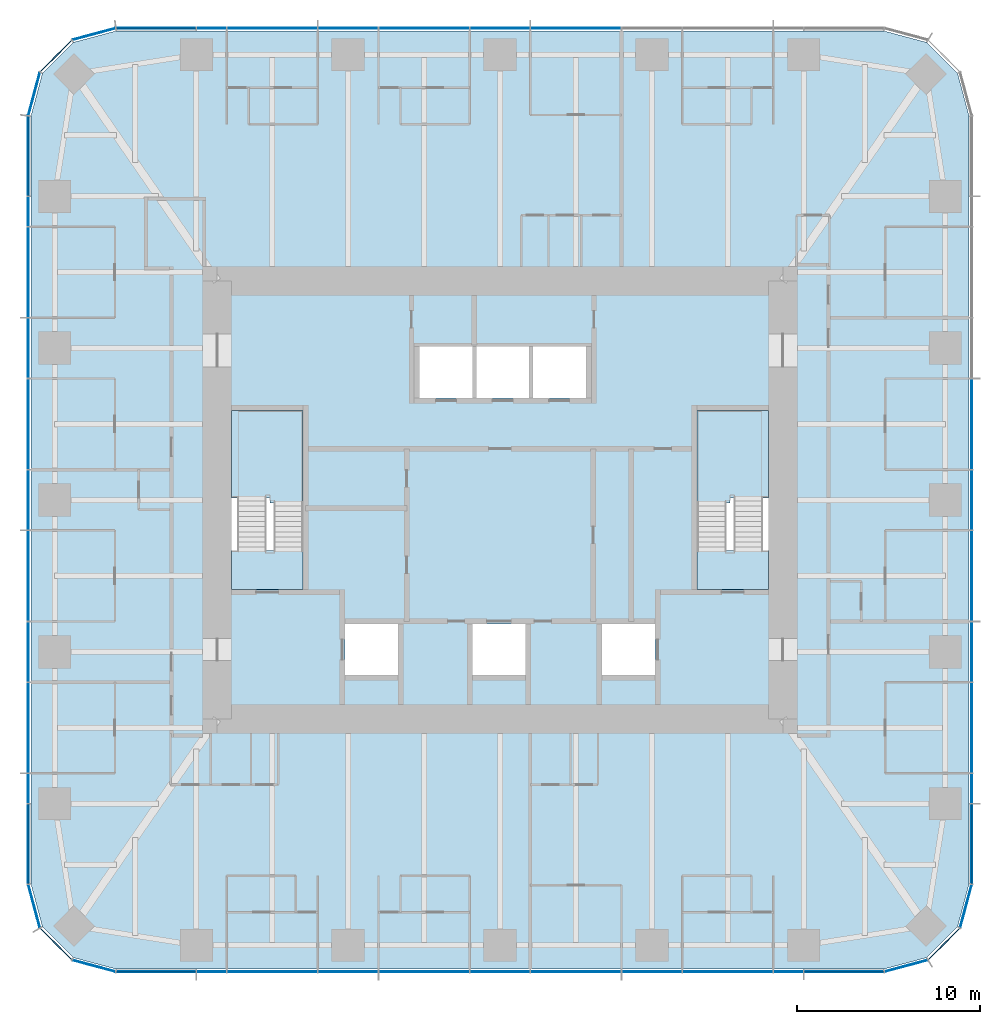
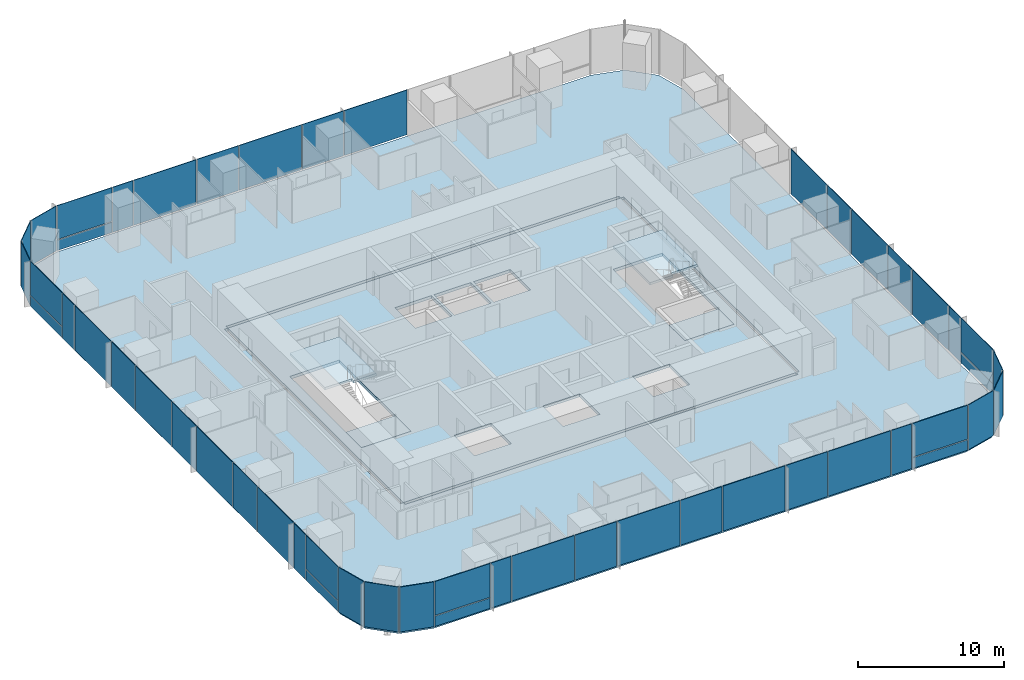
# One storey, part 7 of 13: 51 plates, 6 slabs, 9 elements without a shape of their own.
"""IFC4 building model written with IfcOpenShell, lengths in metres."""

from ifc_helpers import new_model, si_unit, direction, frame, origin, origin_2d, place, context, subcontext, project, spatial, polyline, rectangle, outline, extrude, material, layer, layer_set, type_object, element, aggregate, save


model = new_model("IFC4")

# Units and contexts
model_context = context("Model", 3, precision=1e-05, world=origin(), true_north=direction((0.0, 1.0)))
body_context = subcontext(model_context, "Body", "Model", "MODEL_VIEW")
ifc_project = project(units=[si_unit("LENGTHUNIT", "METRE"), si_unit("AREAUNIT", "SQUARE_METRE"), si_unit("VOLUMEUNIT", "CUBIC_METRE"), si_unit("PLANEANGLEUNIT", "RADIAN"), si_unit("MASSUNIT", "GRAM", prefix="KILO")], contexts=[model_context])

# Site, building, storey
site_placement = place(None, origin())
site = spatial("IfcSite", under=ifc_project, at=site_placement, CompositionType="ELEMENT")
building_placement = place(site_placement, origin())
building = spatial("IfcBuilding", under=site, at=building_placement, Name="Khuree Lantern Residences", CompositionType="ELEMENT")
storey_placement = place(building_placement, frame((0.0, 0.0, 248.25)))
storey = spatial("IfcBuildingStorey", under=building, at=storey_placement, Name="L62", CompositionType="ELEMENT", Elevation=248.25)

# Slab
ifc_material_1 = material(Name="Concrete C35/45", Category="concrete")
ifc_layer_1 = layer(ifc_material_1, 0.25)
ifc_layer_set_1 = layer_set([ifc_layer_1], Name="CFL250 CORE FLOOR SLAB 250")
slab_type_1 = type_object("IfcSlabType", Name="CFL250 CORE FLOOR SLAB 250", PredefinedType="FLOOR", material=ifc_layer_set_1)
slab_1_placement = place(storey_placement, frame((0.0, 0.0, -0.25)))
element("IfcSlab", 1, at=slab_1_placement, inside=storey, type_object=slab_type_1, Name="Core floor L62", PredefinedType="FLOOR", context=body_context, shape_type="SweptSolid", body=[
    extrude(outline(polyline([(-15.5, -12.0), (-15.5, 12.0), (15.5, 12.0), (15.5, -12.0), (-15.5, -12.0)]), holes=[polyline([(10.800048828125, 4.89990234375), (10.800048828125, -4.89990234375), (14.699951171875, -4.89990234375), (14.699951171875, 4.89990234375), (10.800048828125, 4.89990234375)]), polyline([(5.60009765625, -6.800048828125), (5.60009765625, -9.60009765625), (8.5, -9.60009765625), (8.5, -6.800048828125), (5.60009765625, -6.800048828125)]), polyline([(1.800048828125, 8.39990234375), (1.800048828125, 5.60009765625), (4.699951171875, 5.60009765625), (4.699951171875, 8.39990234375), (1.800048828125, 8.39990234375)]), polyline([(-1.300048828125, 8.39990234375), (-1.300048828125, 5.60009765625), (1.60009765625, 5.60009765625), (1.60009765625, 8.39990234375), (-1.300048828125, 8.39990234375)]), polyline([(-1.5, -6.800048828125), (-1.5, -9.60009765625), (1.39990234375, -9.60009765625), (1.39990234375, -6.800048828125), (-1.5, -6.800048828125)]), polyline([(-4.39990234375, 8.39990234375), (-4.39990234375, 5.60009765625), (-1.5, 5.60009765625), (-1.5, 8.39990234375), (-4.39990234375, 8.39990234375)]), polyline([(-8.5, -6.800048828125), (-8.5, -9.60009765625), (-5.60009765625, -9.60009765625), (-5.60009765625, -6.800048828125), (-8.5, -6.800048828125)]), polyline([(-14.699951171875, 4.89990234375), (-14.699951171875, -4.89990234375), (-10.800048828125, -4.89990234375), (-10.800048828125, 4.89990234375), (-14.699951171875, 4.89990234375)])]), origin(), (0.0, 0.0, 1.0), 0.25),
])

# Curtain wall, plates
ifc_material_2 = material(Name="Bronze anodised aluminium", Category="aluminium")
curtain_wall_type_1 = type_object("IfcCurtainWallType", Name="CW-T2 TOWER CORNER CURTAIN WALL", PredefinedType="USERDEFINED", material=ifc_material_2)
curtain_wall_1_placement = place(storey_placement, origin())
curtain_wall_1 = element("IfcCurtainWall", 2, at=curtain_wall_1_placement, inside=storey, type_object=curtain_wall_type_1, Name="L62 SOUTH-EAST CORNER CURTAIN WALL", ObjectType="Faceted corner curtain wall", PredefinedType="USERDEFINED")
ifc_material_3 = material(Name="Bronze tinted triple glazing", Category="glass")
ifc_layer_2 = layer(ifc_material_3, 0.048095703125)
ifc_layer_set_2 = layer_set([ifc_layer_2], Name="FACET PANEL P4")
plate_type_1 = type_object("IfcPlateType", Name="FACET PANEL P4", PredefinedType="CURTAIN_PANEL", material=ifc_layer_set_2)
plate_1_placement = place(storey_placement, frame((22.248046875, -25.529052734375, 0.0), z_axis=(0.0, 0.0, 1.0), x_axis=(0.965925832509, 0.258819021888, 0.0)))
plate_1 = element("IfcPlate", 3, at=plate_1_placement, type_object=plate_type_1, Name="L62 SOUTH-EAST CORNER PANEL 1.1", PredefinedType="CURTAIN_PANEL", context=body_context, shape_type="SweptSolid", body=[
    extrude(rectangle(XDim=2.40869140625, YDim=0.048095703125, at=origin_2d()), origin(), (0.0, 0.0, 1.0), 3.75),
])
plate_2_placement = place(storey_placement, frame((24.328369140625, -24.328369140625, 0.0), z_axis=(0.0, 0.0, 1.0), x_axis=(0.707106781187, 0.707106781187, 0.0)))
plate_2 = element("IfcPlate", 4, at=plate_2_placement, type_object=plate_type_1, Name="L62 SOUTH-EAST CORNER PANEL 2.1", PredefinedType="CURTAIN_PANEL", context=body_context, shape_type="SweptSolid", body=[
    extrude(rectangle(XDim=2.404541015625, YDim=0.048095703125, at=origin_2d()), origin(), (0.0, 0.0, 1.0), 3.75),
])
plate_3_placement = place(storey_placement, frame((25.529052734375, -22.248046875, 0.0), z_axis=(0.0, 0.0, 1.0), x_axis=(0.258819021888, 0.965925832509, 0.0)))
plate_3 = element("IfcPlate", 5, at=plate_3_placement, type_object=plate_type_1, Name="L62 SOUTH-EAST CORNER PANEL 3.1", PredefinedType="CURTAIN_PANEL", context=body_context, shape_type="SweptSolid", body=[
    extrude(rectangle(XDim=2.40869140625, YDim=0.048095703125, at=origin_2d()), origin(), (0.0, 0.0, 1.0), 3.75),
])
aggregate(curtain_wall_1, [plate_1, plate_2, plate_3])

curtain_wall_2_placement = place(storey_placement, origin())
curtain_wall_2 = element("IfcCurtainWall", 6, at=curtain_wall_2_placement, inside=storey, type_object=curtain_wall_type_1, Name="L62 NORTH-WEST CORNER CURTAIN WALL", ObjectType="Faceted corner curtain wall", PredefinedType="USERDEFINED")
plate_4_placement = place(storey_placement, frame((-22.248046875, 25.529052734375, 0.0), z_axis=(0.0, 0.0, 1.0), x_axis=(-0.965925832509, -0.258819021888, 0.0)))
plate_4 = element("IfcPlate", 7, at=plate_4_placement, type_object=plate_type_1, Name="L62 NORTH-WEST CORNER PANEL 29.1", PredefinedType="CURTAIN_PANEL", context=body_context, shape_type="SweptSolid", body=[
    extrude(rectangle(XDim=2.40869140625, YDim=0.048095703125, at=origin_2d()), origin(), (0.0, 0.0, 1.0), 3.75),
])
plate_5_placement = place(storey_placement, frame((-24.328369140625, 24.328369140625, 0.0), z_axis=(0.0, 0.0, 1.0), x_axis=(-0.707106781187, -0.707106781187, 0.0)))
plate_5 = element("IfcPlate", 8, at=plate_5_placement, type_object=plate_type_1, Name="L62 NORTH-WEST CORNER PANEL 30.1", PredefinedType="CURTAIN_PANEL", context=body_context, shape_type="SweptSolid", body=[
    extrude(rectangle(XDim=2.404541015625, YDim=0.048095703125, at=origin_2d()), origin(), (0.0, 0.0, 1.0), 3.75),
])
plate_6_placement = place(storey_placement, frame((-25.529052734375, 22.248046875, 0.0), z_axis=(0.0, 0.0, 1.0), x_axis=(-0.258819021888, -0.965925832509, 0.0)))
plate_6 = element("IfcPlate", 9, at=plate_6_placement, type_object=plate_type_1, Name="L62 NORTH-WEST CORNER PANEL 31.1", PredefinedType="CURTAIN_PANEL", context=body_context, shape_type="SweptSolid", body=[
    extrude(rectangle(XDim=2.40869140625, YDim=0.048095703125, at=origin_2d()), origin(), (0.0, 0.0, 1.0), 3.75),
])
aggregate(curtain_wall_2, [plate_4, plate_5, plate_6])

curtain_wall_3_placement = place(storey_placement, origin())
curtain_wall_3 = element("IfcCurtainWall", 10, at=curtain_wall_3_placement, inside=storey, type_object=curtain_wall_type_1, Name="L62 SOUTH-WEST CORNER CURTAIN WALL", ObjectType="Faceted corner curtain wall", PredefinedType="USERDEFINED")
plate_7_placement = place(storey_placement, frame((-25.529052734375, -22.248046875, 0.0), z_axis=(0.0, 0.0, 1.0), x_axis=(0.258819021888, -0.965925832509, 0.0)))
plate_7 = element("IfcPlate", 11, at=plate_7_placement, type_object=plate_type_1, Name="L62 SOUTH-WEST CORNER PANEL 43.1", PredefinedType="CURTAIN_PANEL", context=body_context, shape_type="SweptSolid", body=[
    extrude(rectangle(XDim=2.40869140625, YDim=0.048095703125, at=origin_2d()), origin(), (0.0, 0.0, 1.0), 3.75),
])
plate_8_placement = place(storey_placement, frame((-24.328369140625, -24.328369140625, 0.0), z_axis=(0.0, 0.0, 1.0), x_axis=(0.707106781187, -0.707106781187, 0.0)))
plate_8 = element("IfcPlate", 12, at=plate_8_placement, type_object=plate_type_1, Name="L62 SOUTH-WEST CORNER PANEL 44.1", PredefinedType="CURTAIN_PANEL", context=body_context, shape_type="SweptSolid", body=[
    extrude(rectangle(XDim=2.404541015625, YDim=0.048095703125, at=origin_2d()), origin(), (0.0, 0.0, 1.0), 3.75),
])
plate_9_placement = place(storey_placement, frame((-22.248046875, -25.529052734375, 0.0), z_axis=(0.0, 0.0, 1.0), x_axis=(0.965925832509, -0.258819021888, 0.0)))
plate_9 = element("IfcPlate", 13, at=plate_9_placement, type_object=plate_type_1, Name="L62 SOUTH-WEST CORNER PANEL 45.1", PredefinedType="CURTAIN_PANEL", context=body_context, shape_type="SweptSolid", body=[
    extrude(rectangle(XDim=2.40869140625, YDim=0.048095703125, at=origin_2d()), origin(), (0.0, 0.0, 1.0), 3.75),
])
aggregate(curtain_wall_3, [plate_7, plate_8, plate_9])

curtain_wall_type_2 = type_object("IfcCurtainWallType", Name="CW-T1 TOWER FACE CURTAIN WALL", PredefinedType="USERDEFINED", material=ifc_material_2)
curtain_wall_4_placement = place(storey_placement, origin())
curtain_wall_4 = element("IfcCurtainWall", 14, at=curtain_wall_4_placement, inside=storey, type_object=curtain_wall_type_2, Name="L62 EAST FACE CURTAIN WALL", ObjectType="Stick-built curtain wall", PredefinedType="USERDEFINED")
ifc_material_4 = material(Name="Bronze tinted triple glazing with a ceramic-fritted spandrel band", Category="glass")
ifc_layer_3 = layer(ifc_material_4, 0.048095703125)
ifc_layer_set_3 = layer_set([ifc_layer_3], Name="FIXED LIGHT PANEL P11")
plate_type_2 = type_object("IfcPlateType", Name="FIXED LIGHT PANEL P11", PredefinedType="CURTAIN_PANEL", material=ifc_layer_set_3)
plate_10_placement = place(storey_placement, frame((25.85009765625, -12.47998046875, 0.0), z_axis=(0.0, 0.0, 1.0), x_axis=(0.0, 1.0, 0.0)))
plate_10 = element("IfcPlate", 15, at=plate_10_placement, type_object=plate_type_2, Name="L62 EAST FACE PANEL 6.1", PredefinedType="CURTAIN_PANEL", context=body_context, shape_type="SweptSolid", body=[
    extrude(rectangle(XDim=4.927001953125, YDim=0.048095703125, at=origin_2d()), origin(), (0.0, 0.0, 1.0), 3.75),
])
plate_11_placement = place(storey_placement, frame((25.85009765625, -4.159912109375, 0.0), z_axis=(0.0, 0.0, 1.0), x_axis=(0.0, 1.0, 0.0)))
plate_11 = element("IfcPlate", 16, at=plate_11_placement, type_object=plate_type_2, Name="L62 EAST FACE PANEL 8.1", PredefinedType="CURTAIN_PANEL", context=body_context, shape_type="SweptSolid", body=[
    extrude(rectangle(XDim=4.927001953125, YDim=0.048095703125, at=origin_2d()), origin(), (0.0, 0.0, 1.0), 3.75),
])
plate_12_placement = place(storey_placement, frame((25.85009765625, 4.159912109375, 0.0), z_axis=(0.0, 0.0, 1.0), x_axis=(0.0, 1.0, 0.0)))
plate_12 = element("IfcPlate", 17, at=plate_12_placement, type_object=plate_type_2, Name="L62 EAST FACE PANEL 10.1", PredefinedType="CURTAIN_PANEL", context=body_context, shape_type="SweptSolid", body=[
    extrude(rectangle(XDim=4.927001953125, YDim=0.048095703125, at=origin_2d()), origin(), (0.0, 0.0, 1.0), 3.75),
])

curtain_wall_5_placement = place(storey_placement, origin())
curtain_wall_5 = element("IfcCurtainWall", 18, at=curtain_wall_5_placement, inside=storey, type_object=curtain_wall_type_2, Name="L62 NORTH FACE CURTAIN WALL", ObjectType="Stick-built curtain wall", PredefinedType="USERDEFINED")
plate_13_placement = place(storey_placement, frame((4.159912109375, 25.85009765625, 0.0), z_axis=(0.0, 0.0, 1.0), x_axis=(-1.0, 0.0, 0.0)))
plate_13 = element("IfcPlate", 19, at=plate_13_placement, type_object=plate_type_2, Name="L62 NORTH FACE PANEL 22.1", PredefinedType="CURTAIN_PANEL", context=body_context, shape_type="SweptSolid", body=[
    extrude(rectangle(XDim=4.927001953125, YDim=0.048095703125, at=origin_2d()), origin(), (0.0, 0.0, 1.0), 3.75),
])
plate_14_placement = place(storey_placement, frame((-4.159912109375, 25.85009765625, 0.0), z_axis=(0.0, 0.0, 1.0), x_axis=(-1.0, 0.0, 0.0)))
plate_14 = element("IfcPlate", 20, at=plate_14_placement, type_object=plate_type_2, Name="L62 NORTH FACE PANEL 24.1", PredefinedType="CURTAIN_PANEL", context=body_context, shape_type="SweptSolid", body=[
    extrude(rectangle(XDim=4.927001953125, YDim=0.048095703125, at=origin_2d()), origin(), (0.0, 0.0, 1.0), 3.75),
])
plate_15_placement = place(storey_placement, frame((-12.47998046875, 25.85009765625, 0.0), z_axis=(0.0, 0.0, 1.0), x_axis=(-1.0, 0.0, 0.0)))
plate_15 = element("IfcPlate", 21, at=plate_15_placement, type_object=plate_type_2, Name="L62 NORTH FACE PANEL 26.1", PredefinedType="CURTAIN_PANEL", context=body_context, shape_type="SweptSolid", body=[
    extrude(rectangle(XDim=4.927001953125, YDim=0.048095703125, at=origin_2d()), origin(), (0.0, 0.0, 1.0), 3.75),
])

curtain_wall_6_placement = place(storey_placement, origin())
curtain_wall_6 = element("IfcCurtainWall", 22, at=curtain_wall_6_placement, inside=storey, type_object=curtain_wall_type_2, Name="L62 WEST FACE CURTAIN WALL", ObjectType="Stick-built curtain wall", PredefinedType="USERDEFINED")
plate_16_placement = place(storey_placement, frame((-25.85009765625, 12.47998046875, 0.0), z_axis=(0.0, 0.0, 1.0), x_axis=(0.0, -1.0, 0.0)))
plate_16 = element("IfcPlate", 23, at=plate_16_placement, type_object=plate_type_2, Name="L62 WEST FACE PANEL 34.1", PredefinedType="CURTAIN_PANEL", context=body_context, shape_type="SweptSolid", body=[
    extrude(rectangle(XDim=4.927001953125, YDim=0.048095703125, at=origin_2d()), origin(), (0.0, 0.0, 1.0), 3.75),
])
plate_17_placement = place(storey_placement, frame((-25.85009765625, 4.159912109375, 0.0), z_axis=(0.0, 0.0, 1.0), x_axis=(0.0, -1.0, 0.0)))
plate_17 = element("IfcPlate", 24, at=plate_17_placement, type_object=plate_type_2, Name="L62 WEST FACE PANEL 36.1", PredefinedType="CURTAIN_PANEL", context=body_context, shape_type="SweptSolid", body=[
    extrude(rectangle(XDim=4.927001953125, YDim=0.048095703125, at=origin_2d()), origin(), (0.0, 0.0, 1.0), 3.75),
])
plate_18_placement = place(storey_placement, frame((-25.85009765625, -4.159912109375, 0.0), z_axis=(0.0, 0.0, 1.0), x_axis=(0.0, -1.0, 0.0)))
plate_18 = element("IfcPlate", 25, at=plate_18_placement, type_object=plate_type_2, Name="L62 WEST FACE PANEL 38.1", PredefinedType="CURTAIN_PANEL", context=body_context, shape_type="SweptSolid", body=[
    extrude(rectangle(XDim=4.927001953125, YDim=0.048095703125, at=origin_2d()), origin(), (0.0, 0.0, 1.0), 3.75),
])
plate_19_placement = place(storey_placement, frame((-25.85009765625, -12.47998046875, 0.0), z_axis=(0.0, 0.0, 1.0), x_axis=(0.0, -1.0, 0.0)))
plate_19 = element("IfcPlate", 26, at=plate_19_placement, type_object=plate_type_2, Name="L62 WEST FACE PANEL 40.1", PredefinedType="CURTAIN_PANEL", context=body_context, shape_type="SweptSolid", body=[
    extrude(rectangle(XDim=4.927001953125, YDim=0.048095703125, at=origin_2d()), origin(), (0.0, 0.0, 1.0), 3.75),
])

curtain_wall_7_placement = place(storey_placement, origin())
curtain_wall_7 = element("IfcCurtainWall", 27, at=curtain_wall_7_placement, inside=storey, type_object=curtain_wall_type_2, Name="L62 SOUTH FACE CURTAIN WALL", ObjectType="Stick-built curtain wall", PredefinedType="USERDEFINED")
plate_20_placement = place(storey_placement, frame((-12.47998046875, -25.85009765625, 0.0), z_axis=(0.0, 0.0, 1.0), x_axis=(1.0, 0.0, 0.0)))
plate_20 = element("IfcPlate", 28, at=plate_20_placement, type_object=plate_type_2, Name="L62 SOUTH FACE PANEL 48.1", PredefinedType="CURTAIN_PANEL", context=body_context, shape_type="SweptSolid", body=[
    extrude(rectangle(XDim=4.927001953125, YDim=0.048095703125, at=origin_2d()), origin(), (0.0, 0.0, 1.0), 3.75),
])
plate_21_placement = place(storey_placement, frame((-4.159912109375, -25.85009765625, 0.0), z_axis=(0.0, 0.0, 1.0), x_axis=(1.0, 0.0, 0.0)))
plate_21 = element("IfcPlate", 29, at=plate_21_placement, type_object=plate_type_2, Name="L62 SOUTH FACE PANEL 50.1", PredefinedType="CURTAIN_PANEL", context=body_context, shape_type="SweptSolid", body=[
    extrude(rectangle(XDim=4.927001953125, YDim=0.048095703125, at=origin_2d()), origin(), (0.0, 0.0, 1.0), 3.75),
])
plate_22_placement = place(storey_placement, frame((4.159912109375, -25.85009765625, 0.0), z_axis=(0.0, 0.0, 1.0), x_axis=(1.0, 0.0, 0.0)))
plate_22 = element("IfcPlate", 30, at=plate_22_placement, type_object=plate_type_2, Name="L62 SOUTH FACE PANEL 52.1", PredefinedType="CURTAIN_PANEL", context=body_context, shape_type="SweptSolid", body=[
    extrude(rectangle(XDim=4.927001953125, YDim=0.048095703125, at=origin_2d()), origin(), (0.0, 0.0, 1.0), 3.75),
])
plate_23_placement = place(storey_placement, frame((12.47998046875, -25.85009765625, 0.0), z_axis=(0.0, 0.0, 1.0), x_axis=(1.0, 0.0, 0.0)))
plate_23 = element("IfcPlate", 31, at=plate_23_placement, type_object=plate_type_2, Name="L62 SOUTH FACE PANEL 54.1", PredefinedType="CURTAIN_PANEL", context=body_context, shape_type="SweptSolid", body=[
    extrude(rectangle(XDim=4.927001953125, YDim=0.048095703125, at=origin_2d()), origin(), (0.0, 0.0, 1.0), 3.75),
])

# Slab
ifc_layer_4 = layer(ifc_material_1, 0.25)
ifc_layer_set_4 = layer_set([ifc_layer_4], Name="FS250 FLOOR SLAB 250")
slab_type_2 = type_object("IfcSlabType", Name="FS250 FLOOR SLAB 250", PredefinedType="FLOOR", material=ifc_layer_set_4)
slab_2_placement = place(storey_placement, frame((0.0, 0.0, -0.25)))
element("IfcSlab", 32, at=slab_2_placement, inside=storey, type_object=slab_type_2, Name="Floor slab L62", PredefinedType="FLOOR", context=body_context, shape_type="SweptSolid", body=[
    extrude(outline(polyline([(-23.375, -25.076904296875), (-25.076904296875, -23.375), (-25.699951171875, -21.050048828125), (-25.699951171875, 21.050048828125), (-25.076904296875, 23.375), (-23.375, 25.076904296875), (-21.050048828125, 25.699951171875), (21.050048828125, 25.699951171875), (23.375, 25.076904296875), (25.076904296875, 23.375), (25.699951171875, 21.050048828125), (25.699951171875, -21.050048828125), (25.076904296875, -23.375), (23.375, -25.076904296875), (21.050048828125, -25.699951171875), (-21.050048828125, -25.699951171875), (-23.375, -25.076904296875)]), holes=[polyline([(15.75, 12.0), (15.5, 12.0), (15.5, 12.25), (-15.5, 12.25), (-15.5, 12.0), (-15.75, 12.0), (-15.75, -12.0), (-15.5, -12.0), (-15.5, -12.25), (15.5, -12.25), (15.5, -12.0), (15.75, -12.0), (15.75, 12.0)])]), origin(), (0.0, 0.0, 1.0), 0.25),
])

# Plate
ifc_material_5 = material(Name="Bronze tinted triple glazing, two aluminium-framed sashes in one frame", Category="aluminium")
ifc_layer_5 = layer(ifc_material_5, 0.048095703125)
ifc_layer_set_5 = layer_set([ifc_layer_5], Name="SASH PAIR PANEL P12")
plate_type_3 = type_object("IfcPlateType", Name="SASH PAIR PANEL P12", PredefinedType="CURTAIN_PANEL", material=ifc_layer_set_5)
plate_24_placement = place(storey_placement, frame((25.85009765625, -8.320068359375, 0.0), z_axis=(0.0, 0.0, 1.0), x_axis=(0.0, 1.0, 0.0)))
plate_24 = element("IfcPlate", 33, at=plate_24_placement, type_object=plate_type_3, Name="L62 EAST FACE PANEL 7.1", PredefinedType="CURTAIN_PANEL", context=body_context, shape_type="SweptSolid", body=[
    extrude(rectangle(XDim=3.262939453125, YDim=0.048095703125, at=origin_2d()), origin(), (0.0, 0.0, 1.0), 3.75),
])

plate_25_placement = place(storey_placement, frame((25.85009765625, 0.0, 0.0), z_axis=(0.0, 0.0, 1.0), x_axis=(0.0, 1.0, 0.0)))
plate_25 = element("IfcPlate", 34, at=plate_25_placement, type_object=plate_type_3, Name="L62 EAST FACE PANEL 9.1", PredefinedType="CURTAIN_PANEL", context=body_context, shape_type="SweptSolid", body=[
    extrude(rectangle(XDim=3.262939453125, YDim=0.048095703125, at=origin_2d()), origin(), (0.0, 0.0, 1.0), 3.75),
])

plate_26_placement = place(storey_placement, frame((0.0, 25.85009765625, 0.0), z_axis=(0.0, 0.0, 1.0), x_axis=(-1.0, 0.0, 0.0)))
plate_26 = element("IfcPlate", 35, at=plate_26_placement, type_object=plate_type_3, Name="L62 NORTH FACE PANEL 23.1", PredefinedType="CURTAIN_PANEL", context=body_context, shape_type="SweptSolid", body=[
    extrude(rectangle(XDim=3.262939453125, YDim=0.048095703125, at=origin_2d()), origin(), (0.0, 0.0, 1.0), 3.75),
])

plate_27_placement = place(storey_placement, frame((-8.320068359375, 25.85009765625, 0.0), z_axis=(0.0, 0.0, 1.0), x_axis=(-1.0, 0.0, 0.0)))
plate_27 = element("IfcPlate", 36, at=plate_27_placement, type_object=plate_type_3, Name="L62 NORTH FACE PANEL 25.1", PredefinedType="CURTAIN_PANEL", context=body_context, shape_type="SweptSolid", body=[
    extrude(rectangle(XDim=3.262939453125, YDim=0.048095703125, at=origin_2d()), origin(), (0.0, 0.0, 1.0), 3.75),
])

plate_28_placement = place(storey_placement, frame((-25.85009765625, 8.320068359375, 0.0), z_axis=(0.0, 0.0, 1.0), x_axis=(0.0, -1.0, 0.0)))
plate_28 = element("IfcPlate", 37, at=plate_28_placement, type_object=plate_type_3, Name="L62 WEST FACE PANEL 35.1", PredefinedType="CURTAIN_PANEL", context=body_context, shape_type="SweptSolid", body=[
    extrude(rectangle(XDim=3.262939453125, YDim=0.048095703125, at=origin_2d()), origin(), (0.0, 0.0, 1.0), 3.75),
])

plate_29_placement = place(storey_placement, frame((-25.85009765625, 0.0, 0.0), z_axis=(0.0, 0.0, 1.0), x_axis=(0.0, -1.0, 0.0)))
plate_29 = element("IfcPlate", 38, at=plate_29_placement, type_object=plate_type_3, Name="L62 WEST FACE PANEL 37.1", PredefinedType="CURTAIN_PANEL", context=body_context, shape_type="SweptSolid", body=[
    extrude(rectangle(XDim=3.262939453125, YDim=0.048095703125, at=origin_2d()), origin(), (0.0, 0.0, 1.0), 3.75),
])

plate_30_placement = place(storey_placement, frame((-25.85009765625, -8.320068359375, 0.0), z_axis=(0.0, 0.0, 1.0), x_axis=(0.0, -1.0, 0.0)))
plate_30 = element("IfcPlate", 39, at=plate_30_placement, type_object=plate_type_3, Name="L62 WEST FACE PANEL 39.1", PredefinedType="CURTAIN_PANEL", context=body_context, shape_type="SweptSolid", body=[
    extrude(rectangle(XDim=3.262939453125, YDim=0.048095703125, at=origin_2d()), origin(), (0.0, 0.0, 1.0), 3.75),
])

plate_31_placement = place(storey_placement, frame((-8.320068359375, -25.85009765625, 0.0), z_axis=(0.0, 0.0, 1.0), x_axis=(1.0, 0.0, 0.0)))
plate_31 = element("IfcPlate", 40, at=plate_31_placement, type_object=plate_type_3, Name="L62 SOUTH FACE PANEL 49.1", PredefinedType="CURTAIN_PANEL", context=body_context, shape_type="SweptSolid", body=[
    extrude(rectangle(XDim=3.262939453125, YDim=0.048095703125, at=origin_2d()), origin(), (0.0, 0.0, 1.0), 3.75),
])

plate_32_placement = place(storey_placement, frame((0.0, -25.85009765625, 0.0), z_axis=(0.0, 0.0, 1.0), x_axis=(1.0, 0.0, 0.0)))
plate_32 = element("IfcPlate", 41, at=plate_32_placement, type_object=plate_type_3, Name="L62 SOUTH FACE PANEL 51.1", PredefinedType="CURTAIN_PANEL", context=body_context, shape_type="SweptSolid", body=[
    extrude(rectangle(XDim=3.262939453125, YDim=0.048095703125, at=origin_2d()), origin(), (0.0, 0.0, 1.0), 3.75),
])

plate_33_placement = place(storey_placement, frame((8.320068359375, -25.85009765625, 0.0), z_axis=(0.0, 0.0, 1.0), x_axis=(1.0, 0.0, 0.0)))
plate_33 = element("IfcPlate", 42, at=plate_33_placement, type_object=plate_type_3, Name="L62 SOUTH FACE PANEL 53.1", PredefinedType="CURTAIN_PANEL", context=body_context, shape_type="SweptSolid", body=[
    extrude(rectangle(XDim=3.262939453125, YDim=0.048095703125, at=origin_2d()), origin(), (0.0, 0.0, 1.0), 3.75),
])

ifc_material_6 = material(Name="Bronze tinted triple glazing, aluminium-framed sash", Category="aluminium")
ifc_layer_6 = layer(ifc_material_6, 0.048095703125)
ifc_layer_set_6 = layer_set([ifc_layer_6], Name="SASH PANEL P3")
plate_type_4 = type_object("IfcPlateType", Name="SASH PANEL P3", PredefinedType="CURTAIN_PANEL", material=ifc_layer_set_6)
plate_34_placement = place(storey_placement, frame((25.85009765625, -15.80810546875, 0.0), z_axis=(0.0, 0.0, 1.0), x_axis=(0.0, 1.0, 0.0)))
plate_34 = element("IfcPlate", 43, at=plate_34_placement, type_object=plate_type_4, Name="L62 EAST FACE PANEL 5.1", PredefinedType="CURTAIN_PANEL", context=body_context, shape_type="SweptSolid", body=[
    extrude(rectangle(XDim=1.59912109375, YDim=0.048095703125, at=origin_2d()), origin(), (0.0, 0.0, 1.0), 3.75),
])

plate_35_placement = place(storey_placement, frame((-15.80810546875, 25.85009765625, 0.0), z_axis=(0.0, 0.0, 1.0), x_axis=(-1.0, 0.0, 0.0)))
plate_35 = element("IfcPlate", 44, at=plate_35_placement, type_object=plate_type_4, Name="L62 NORTH FACE PANEL 27.1", PredefinedType="CURTAIN_PANEL", context=body_context, shape_type="SweptSolid", body=[
    extrude(rectangle(XDim=1.59912109375, YDim=0.048095703125, at=origin_2d()), origin(), (0.0, 0.0, 1.0), 3.75),
])

plate_36_placement = place(storey_placement, frame((-25.85009765625, 15.80810546875, 0.0), z_axis=(0.0, 0.0, 1.0), x_axis=(0.0, -1.0, 0.0)))
plate_36 = element("IfcPlate", 45, at=plate_36_placement, type_object=plate_type_4, Name="L62 WEST FACE PANEL 33.1", PredefinedType="CURTAIN_PANEL", context=body_context, shape_type="SweptSolid", body=[
    extrude(rectangle(XDim=1.59912109375, YDim=0.048095703125, at=origin_2d()), origin(), (0.0, 0.0, 1.0), 3.75),
])

plate_37_placement = place(storey_placement, frame((-25.85009765625, -15.80810546875, 0.0), z_axis=(0.0, 0.0, 1.0), x_axis=(0.0, -1.0, 0.0)))
plate_37 = element("IfcPlate", 46, at=plate_37_placement, type_object=plate_type_4, Name="L62 WEST FACE PANEL 41.1", PredefinedType="CURTAIN_PANEL", context=body_context, shape_type="SweptSolid", body=[
    extrude(rectangle(XDim=1.59912109375, YDim=0.048095703125, at=origin_2d()), origin(), (0.0, 0.0, 1.0), 3.75),
])

plate_38_placement = place(storey_placement, frame((-15.80810546875, -25.85009765625, 0.0), z_axis=(0.0, 0.0, 1.0), x_axis=(1.0, 0.0, 0.0)))
plate_38 = element("IfcPlate", 47, at=plate_38_placement, type_object=plate_type_4, Name="L62 SOUTH FACE PANEL 47.1", PredefinedType="CURTAIN_PANEL", context=body_context, shape_type="SweptSolid", body=[
    extrude(rectangle(XDim=1.59912109375, YDim=0.048095703125, at=origin_2d()), origin(), (0.0, 0.0, 1.0), 3.75),
])

plate_39_placement = place(storey_placement, frame((15.80810546875, -25.85009765625, 0.0), z_axis=(0.0, 0.0, 1.0), x_axis=(1.0, 0.0, 0.0)))
plate_39 = element("IfcPlate", 48, at=plate_39_placement, type_object=plate_type_4, Name="L62 SOUTH FACE PANEL 55.1", PredefinedType="CURTAIN_PANEL", context=body_context, shape_type="SweptSolid", body=[
    extrude(rectangle(XDim=1.59912109375, YDim=0.048095703125, at=origin_2d()), origin(), (0.0, 0.0, 1.0), 3.75),
])

ifc_material_7 = material(Name="Bronze anodised aluminium insulated spandrel", Category="aluminium")
ifc_layer_7 = layer(ifc_material_7, 0.06005859375)
ifc_layer_set_7 = layer_set([ifc_layer_7], Name="SPANDREL PANEL P2")
plate_type_5 = type_object("IfcPlateType", Name="SPANDREL PANEL P2", PredefinedType="CURTAIN_PANEL", material=ifc_layer_set_7)
plate_40_placement = place(storey_placement, frame((25.85009765625, -18.8427734375, 0.0), z_axis=(0.0, 0.0, 1.0), x_axis=(0.0, 1.0, 0.0)))
plate_40 = element("IfcPlate", 49, at=plate_40_placement, type_object=plate_type_5, Name="L62 EAST FACE PANEL 4.1", PredefinedType="CURTAIN_PANEL", context=body_context, shape_type="SweptSolid", body=[
    extrude(rectangle(XDim=4.3408203125, YDim=0.06005859375, at=origin_2d()), origin(), (0.0, 0.0, 1.0), 0.867431640625),
])

plate_41_placement = place(storey_placement, frame((-18.8427734375, 25.85009765625, 0.0), z_axis=(0.0, 0.0, 1.0), x_axis=(-1.0, 0.0, 0.0)))
plate_41 = element("IfcPlate", 50, at=plate_41_placement, type_object=plate_type_5, Name="L62 NORTH FACE PANEL 28.1", PredefinedType="CURTAIN_PANEL", context=body_context, shape_type="SweptSolid", body=[
    extrude(rectangle(XDim=4.3408203125, YDim=0.06005859375, at=origin_2d()), origin(), (0.0, 0.0, 1.0), 0.867431640625),
])

plate_42_placement = place(storey_placement, frame((-25.85009765625, 18.8427734375, 0.0), z_axis=(0.0, 0.0, 1.0), x_axis=(0.0, -1.0, 0.0)))
plate_42 = element("IfcPlate", 51, at=plate_42_placement, type_object=plate_type_5, Name="L62 WEST FACE PANEL 32.1", PredefinedType="CURTAIN_PANEL", context=body_context, shape_type="SweptSolid", body=[
    extrude(rectangle(XDim=4.3408203125, YDim=0.06005859375, at=origin_2d()), origin(), (0.0, 0.0, 1.0), 0.867431640625),
])

plate_43_placement = place(storey_placement, frame((-25.85009765625, -18.8427734375, 0.0), z_axis=(0.0, 0.0, 1.0), x_axis=(0.0, -1.0, 0.0)))
plate_43 = element("IfcPlate", 52, at=plate_43_placement, type_object=plate_type_5, Name="L62 WEST FACE PANEL 42.1", PredefinedType="CURTAIN_PANEL", context=body_context, shape_type="SweptSolid", body=[
    extrude(rectangle(XDim=4.3408203125, YDim=0.06005859375, at=origin_2d()), origin(), (0.0, 0.0, 1.0), 0.867431640625),
])

plate_44_placement = place(storey_placement, frame((-18.8427734375, -25.85009765625, 0.0), z_axis=(0.0, 0.0, 1.0), x_axis=(1.0, 0.0, 0.0)))
plate_44 = element("IfcPlate", 53, at=plate_44_placement, type_object=plate_type_5, Name="L62 SOUTH FACE PANEL 46.1", PredefinedType="CURTAIN_PANEL", context=body_context, shape_type="SweptSolid", body=[
    extrude(rectangle(XDim=4.3408203125, YDim=0.06005859375, at=origin_2d()), origin(), (0.0, 0.0, 1.0), 0.867431640625),
])

plate_45_placement = place(storey_placement, frame((18.8427734375, -25.85009765625, 0.0), z_axis=(0.0, 0.0, 1.0), x_axis=(1.0, 0.0, 0.0)))
plate_45 = element("IfcPlate", 54, at=plate_45_placement, type_object=plate_type_5, Name="L62 SOUTH FACE PANEL 56.1", PredefinedType="CURTAIN_PANEL", context=body_context, shape_type="SweptSolid", body=[
    extrude(rectangle(XDim=4.3408203125, YDim=0.06005859375, at=origin_2d()), origin(), (0.0, 0.0, 1.0), 0.867431640625),
])

# Stair, slabs
ifc_material_8 = material(Name="Concrete C40/50", Category="concrete")
stair_type = type_object("IfcStairType", Name="STAIR ST1 HALF TURN 3600", PredefinedType="HALF_TURN_STAIR", material=ifc_material_8)
stair_1_placement = place(storey_placement, origin())
stair_1 = element("IfcStair", 55, at=stair_1_placement, inside=storey, type_object=stair_type, Name="Stair ST1", PredefinedType="HALF_TURN_STAIR")
ifc_layer_8 = layer(ifc_material_8, 0.199951171875)
ifc_layer_set_8 = layer_set([ifc_layer_8], Name="STAIR LANDING SL1 200")
slab_type_3 = type_object("IfcSlabType", Name="STAIR LANDING SL1 200", PredefinedType="LANDING", material=ifc_layer_set_8)
slab_3_placement = place(storey_placement, frame((0.0, 0.0, -0.199951171875)))
slab_3 = element("IfcSlab", 56, at=slab_3_placement, type_object=slab_type_3, Name="ST1 landing 1", PredefinedType="LANDING", context=body_context, shape_type="SweptSolid", body=[
    extrude(outline(polyline([(-14.699951171875, -4.89990234375), (-10.800048828125, -4.89990234375), (-10.800048828125, -2.760009765625), (-14.699951171875, -2.760009765625), (-14.699951171875, -4.89990234375)])), origin(), (0.0, 0.0, 1.0), 0.199951171875),
])
slab_4_placement = place(storey_placement, frame((0.0, 0.0, 1.756591796875)))
slab_4 = element("IfcSlab", 57, at=slab_4_placement, type_object=slab_type_3, Name="ST1 landing 2", PredefinedType="LANDING", context=body_context, shape_type="SweptSolid", body=[
    extrude(outline(polyline([(-14.699951171875, 0.1201171875), (-14.699951171875, 4.89990234375), (-10.800048828125, 4.89990234375), (-10.800048828125, -0.159912109375), (-12.60009765625, -0.159912109375), (-12.60009765625, 0.1201171875), (-14.699951171875, 0.1201171875)])), origin(), (0.0, 0.0, 1.0), 0.199951171875),
])
aggregate(stair_1, [slab_3, slab_4])

stair_2_placement = place(storey_placement, origin())
stair_2 = element("IfcStair", 58, at=stair_2_placement, inside=storey, type_object=stair_type, Name="Stair ST2", PredefinedType="HALF_TURN_STAIR")
slab_5_placement = place(storey_placement, frame((0.0, 0.0, -0.199951171875)))
slab_5 = element("IfcSlab", 59, at=slab_5_placement, type_object=slab_type_3, Name="ST2 landing 1", PredefinedType="LANDING", context=body_context, shape_type="SweptSolid", body=[
    extrude(outline(polyline([(10.800048828125, -4.89990234375), (14.699951171875, -4.89990234375), (14.699951171875, -2.760009765625), (10.800048828125, -2.760009765625), (10.800048828125, -4.89990234375)])), origin(), (0.0, 0.0, 1.0), 0.199951171875),
])
slab_6_placement = place(storey_placement, frame((0.0, 0.0, 1.756591796875)))
slab_6 = element("IfcSlab", 60, at=slab_6_placement, type_object=slab_type_3, Name="ST2 landing 2", PredefinedType="LANDING", context=body_context, shape_type="SweptSolid", body=[
    extrude(outline(polyline([(14.699951171875, 4.89990234375), (14.699951171875, 0.1201171875), (12.60009765625, 0.1201171875), (12.60009765625, -0.159912109375), (10.800048828125, -0.159912109375), (10.800048828125, 4.89990234375), (14.699951171875, 4.89990234375)])), origin(), (0.0, 0.0, 1.0), 0.199951171875),
])
aggregate(stair_2, [slab_5, slab_6])

# Plate
ifc_layer_9 = layer(ifc_material_3, 0.048095703125)
ifc_layer_set_9 = layer_set([ifc_layer_9], Name="VISION PANEL P1")
plate_type_6 = type_object("IfcPlateType", Name="VISION PANEL P1", PredefinedType="CURTAIN_PANEL", material=ifc_layer_set_9)
plate_46_placement = place(storey_placement, frame((25.85009765625, -18.84326171875, 0.9326171875), z_axis=(0.0, 0.0, 1.0), x_axis=(0.0, 1.0, 0.0)))
plate_46 = element("IfcPlate", 61, at=plate_46_placement, type_object=plate_type_6, Name="L62 EAST FACE PANEL 4.2", PredefinedType="CURTAIN_PANEL", context=body_context, shape_type="SweptSolid", body=[
    extrude(rectangle(XDim=4.341552734375, YDim=0.048095703125, at=origin_2d()), origin(), (0.0, 0.0, 1.0), 2.8173828125),
])

aggregate(curtain_wall_4, [plate_40, plate_46, plate_34, plate_10, plate_24, plate_11, plate_25, plate_12])

plate_47_placement = place(storey_placement, frame((-18.84326171875, 25.85009765625, 0.9326171875), z_axis=(0.0, 0.0, 1.0), x_axis=(-1.0, 0.0, 0.0)))
plate_47 = element("IfcPlate", 62, at=plate_47_placement, type_object=plate_type_6, Name="L62 NORTH FACE PANEL 28.2", PredefinedType="CURTAIN_PANEL", context=body_context, shape_type="SweptSolid", body=[
    extrude(rectangle(XDim=4.341552734375, YDim=0.048095703125, at=origin_2d()), origin(), (0.0, 0.0, 1.0), 2.8173828125),
])

aggregate(curtain_wall_5, [plate_13, plate_26, plate_14, plate_27, plate_15, plate_35, plate_41, plate_47])

plate_48_placement = place(storey_placement, frame((-25.85009765625, 18.84326171875, 0.9326171875), z_axis=(0.0, 0.0, 1.0), x_axis=(0.0, -1.0, 0.0)))
plate_48 = element("IfcPlate", 63, at=plate_48_placement, type_object=plate_type_6, Name="L62 WEST FACE PANEL 32.2", PredefinedType="CURTAIN_PANEL", context=body_context, shape_type="SweptSolid", body=[
    extrude(rectangle(XDim=4.341552734375, YDim=0.048095703125, at=origin_2d()), origin(), (0.0, 0.0, 1.0), 2.8173828125),
])

plate_49_placement = place(storey_placement, frame((-25.85009765625, -18.84326171875, 0.9326171875), z_axis=(0.0, 0.0, 1.0), x_axis=(0.0, -1.0, 0.0)))
plate_49 = element("IfcPlate", 64, at=plate_49_placement, type_object=plate_type_6, Name="L62 WEST FACE PANEL 42.2", PredefinedType="CURTAIN_PANEL", context=body_context, shape_type="SweptSolid", body=[
    extrude(rectangle(XDim=4.341552734375, YDim=0.048095703125, at=origin_2d()), origin(), (0.0, 0.0, 1.0), 2.8173828125),
])

aggregate(curtain_wall_6, [plate_42, plate_48, plate_36, plate_16, plate_28, plate_17, plate_29, plate_18, plate_30, plate_19, plate_37, plate_43, plate_49])

plate_50_placement = place(storey_placement, frame((-18.84326171875, -25.85009765625, 0.9326171875), z_axis=(0.0, 0.0, 1.0), x_axis=(1.0, 0.0, 0.0)))
plate_50 = element("IfcPlate", 65, at=plate_50_placement, type_object=plate_type_6, Name="L62 SOUTH FACE PANEL 46.2", PredefinedType="CURTAIN_PANEL", context=body_context, shape_type="SweptSolid", body=[
    extrude(rectangle(XDim=4.341552734375, YDim=0.048095703125, at=origin_2d()), origin(), (0.0, 0.0, 1.0), 2.8173828125),
])

plate_51_placement = place(storey_placement, frame((18.84326171875, -25.85009765625, 0.9326171875), z_axis=(0.0, 0.0, 1.0), x_axis=(1.0, 0.0, 0.0)))
plate_51 = element("IfcPlate", 66, at=plate_51_placement, type_object=plate_type_6, Name="L62 SOUTH FACE PANEL 56.2", PredefinedType="CURTAIN_PANEL", context=body_context, shape_type="SweptSolid", body=[
    extrude(rectangle(XDim=4.341552734375, YDim=0.048095703125, at=origin_2d()), origin(), (0.0, 0.0, 1.0), 2.8173828125),
])

aggregate(curtain_wall_7, [plate_44, plate_50, plate_38, plate_20, plate_31, plate_21, plate_32, plate_22, plate_33, plate_23, plate_39, plate_45, plate_51])

save(model, "model.ifc")
